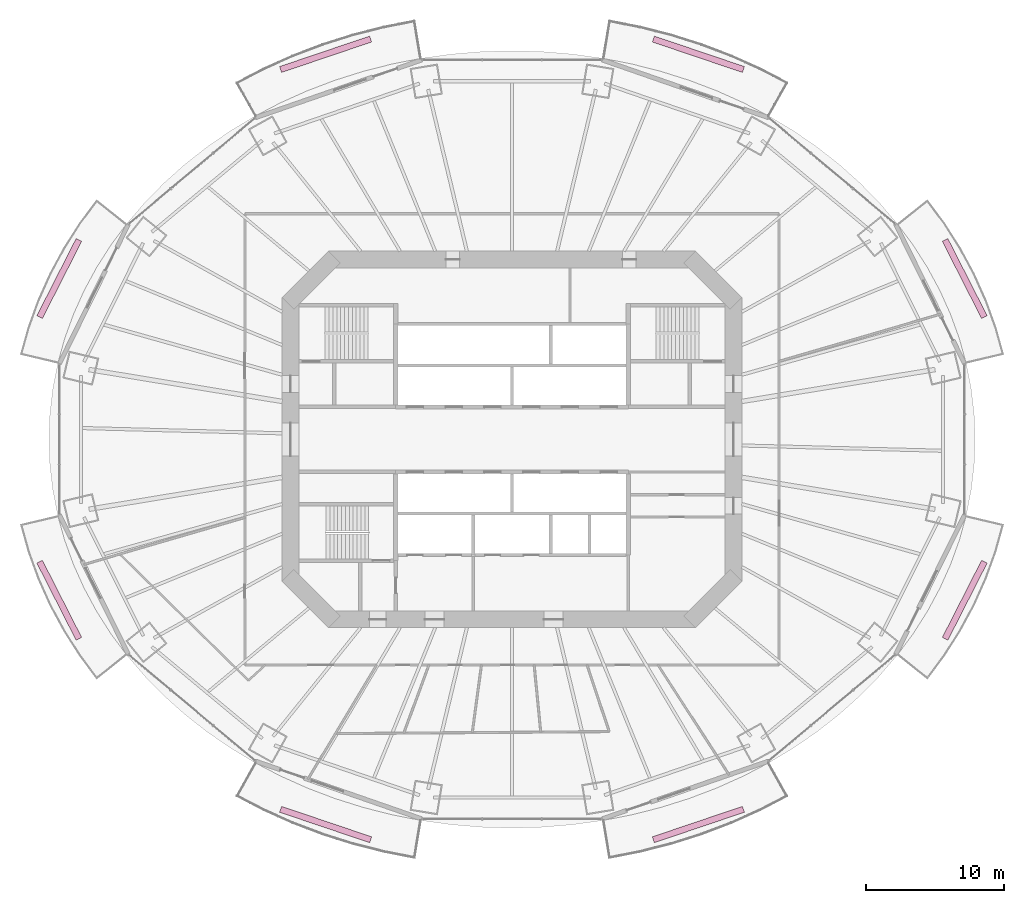
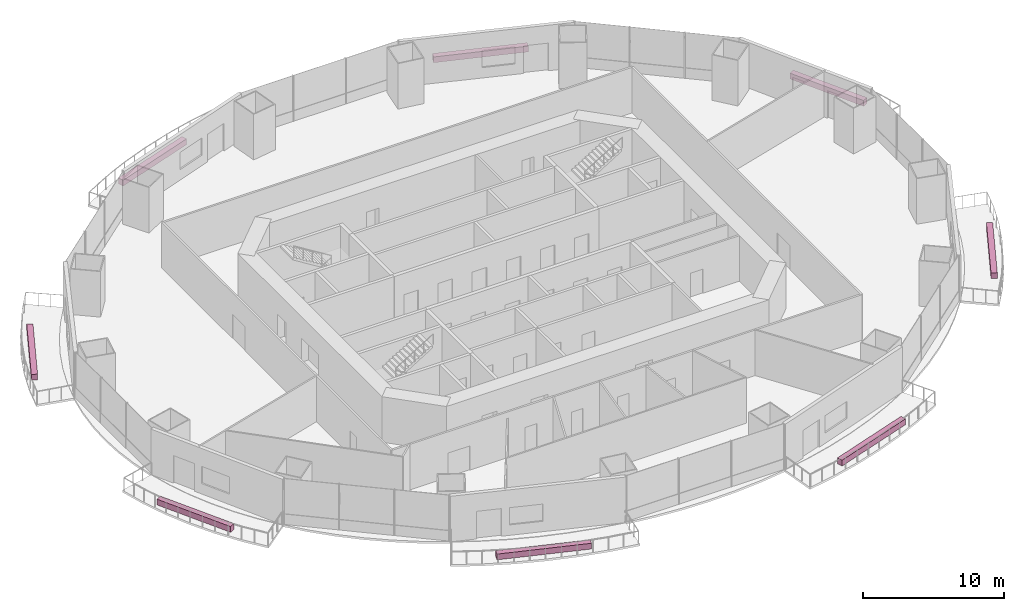
# One storey, part 18 of 18: 8 furnishings.
"""IFC4 building model written with IfcOpenShell, lengths in metres."""

from ifc_helpers import new_model, si_unit, direction, frame, origin, origin_2d, place, context, subcontext, project, spatial, rectangle, extrude, material, type_object, element, save


model = new_model("IFC4")

# Units and contexts
model_context = context("Model", 3, precision=1e-05, world=origin(), true_north=direction((0.0, 1.0)))
body_context = subcontext(model_context, "Body", "Model", "MODEL_VIEW")
ifc_project = project(units=[si_unit("LENGTHUNIT", "METRE"), si_unit("AREAUNIT", "SQUARE_METRE"), si_unit("VOLUMEUNIT", "CUBIC_METRE"), si_unit("PLANEANGLEUNIT", "RADIAN"), si_unit("MASSUNIT", "GRAM", prefix="KILO")], contexts=[model_context])

# Site, building, storey
site_placement = place(None, origin())
site = spatial("IfcSite", under=ifc_project, at=site_placement, CompositionType="ELEMENT")
building_placement = place(site_placement, origin())
building = spatial("IfcBuilding", under=site, at=building_placement, Name="Marenthal Gate Tower", CompositionType="ELEMENT")
storey_placement = place(building_placement, frame((0.0, 0.0, 140.89990234375)))
storey = spatial("IfcBuildingStorey", under=building, at=storey_placement, Name="L30", CompositionType="ELEMENT", Elevation=140.89990234375)

# Furnishings
ifc_material = material(Name="Planting soil and foliage", Category="planting")
furnishing_element_type = type_object("IfcFurnishingElementType", Name="Balcony PLANTER trough", material=ifc_material)
furnishing_1_placement = place(storey_placement, frame((32.708251953125, 11.61865234375, -0.039794921875), z_axis=(0.0, 0.0, 1.0), x_axis=(-0.453791430761, 0.891107926891, 0.0)))
element("IfcFurnishingElement", 1, at=furnishing_1_placement, inside=storey, type_object=furnishing_element_type, Name="Balcony PLANTER L30 bay 1", ObjectType="PLANTER", context=body_context, shape_type="SweptSolid", body=[
    extrude(rectangle(XDim=6.254150390625, YDim=0.449951171875, at=origin_2d()), origin(), (0.0, 0.0, 1.0), 0.5),
])
for number, where, z_axis, x_axis, name in (
    (2, (13.466796875, 27.822021484375, -0.039794921875), (0.0, 0.0, 1.0), (-0.947337727777, 0.320236208962, 0.0), "Balcony PLANTER L30 bay 3"),
    (3, (-13.466796875, 27.822021484375, -0.039794921875), (0.0, 0.0, 1.0), (-0.947337727777, -0.320236208962, 0.0), "Balcony PLANTER L30 bay 5"),
):
    element("IfcFurnishingElement", number, at=place(storey_placement, frame(where, z_axis=z_axis, x_axis=x_axis)), inside=storey, type_object=furnishing_element_type, Name=name, ObjectType="PLANTER", context=body_context, shape_type="SweptSolid", body=[
        extrude(rectangle(XDim=6.866455078125, YDim=0.449951171875, at=origin_2d()), origin(), (0.0, 0.0, 1.0), 0.5),
    ])
for number, where, z_axis, x_axis, name in (
    (4, (-32.708251953125, 11.61865234375, -0.039794921875), (0.0, 0.0, 1.0), (-0.453791430761, -0.891107926891, 0.0), "Balcony PLANTER L30 bay 7"),
    (5, (-32.708251953125, -11.61865234375, -0.039794921875), (0.0, 0.0, 1.0), (0.453791430761, -0.891107926891, 0.0), "Balcony PLANTER L30 bay 9"),
):
    element("IfcFurnishingElement", number, at=place(storey_placement, frame(where, z_axis=z_axis, x_axis=x_axis)), inside=storey, type_object=furnishing_element_type, Name=name, ObjectType="PLANTER", context=body_context, shape_type="SweptSolid", body=[
        extrude(rectangle(XDim=6.254150390625, YDim=0.449951171875, at=origin_2d()), origin(), (0.0, 0.0, 1.0), 0.5),
    ])
for number, where, z_axis, x_axis, name in (
    (6, (-13.466796875, -27.822021484375, -0.039794921875), (0.0, 0.0, 1.0), (0.947337727777, -0.320236208962, 0.0), "Balcony PLANTER L30 bay 11"),
    (7, (13.466796875, -27.822021484375, -0.039794921875), (0.0, 0.0, 1.0), (0.947337727777, 0.320236208962, 0.0), "Balcony PLANTER L30 bay 13"),
):
    element("IfcFurnishingElement", number, at=place(storey_placement, frame(where, z_axis=z_axis, x_axis=x_axis)), inside=storey, type_object=furnishing_element_type, Name=name, ObjectType="PLANTER", context=body_context, shape_type="SweptSolid", body=[
        extrude(rectangle(XDim=6.866455078125, YDim=0.449951171875, at=origin_2d()), origin(), (0.0, 0.0, 1.0), 0.5),
    ])
furnishing_2_placement = place(storey_placement, frame((32.708251953125, -11.61865234375, -0.039794921875), z_axis=(0.0, 0.0, 1.0), x_axis=(0.453791430761, 0.891107926891, 0.0)))
element("IfcFurnishingElement", 8, at=furnishing_2_placement, inside=storey, type_object=furnishing_element_type, Name="Balcony PLANTER L30 bay 15", ObjectType="PLANTER", context=body_context, shape_type="SweptSolid", body=[
    extrude(rectangle(XDim=6.254150390625, YDim=0.449951171875, at=origin_2d()), origin(), (0.0, 0.0, 1.0), 0.5),
])

save(model, "model.ifc")
